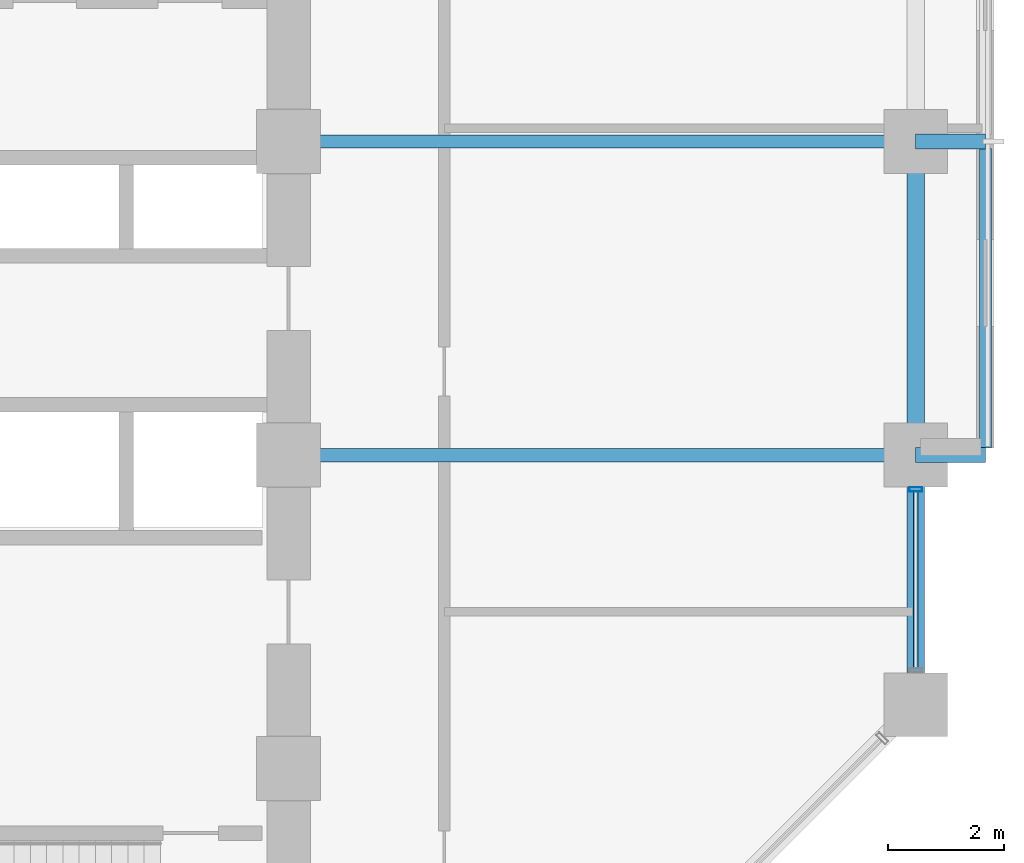
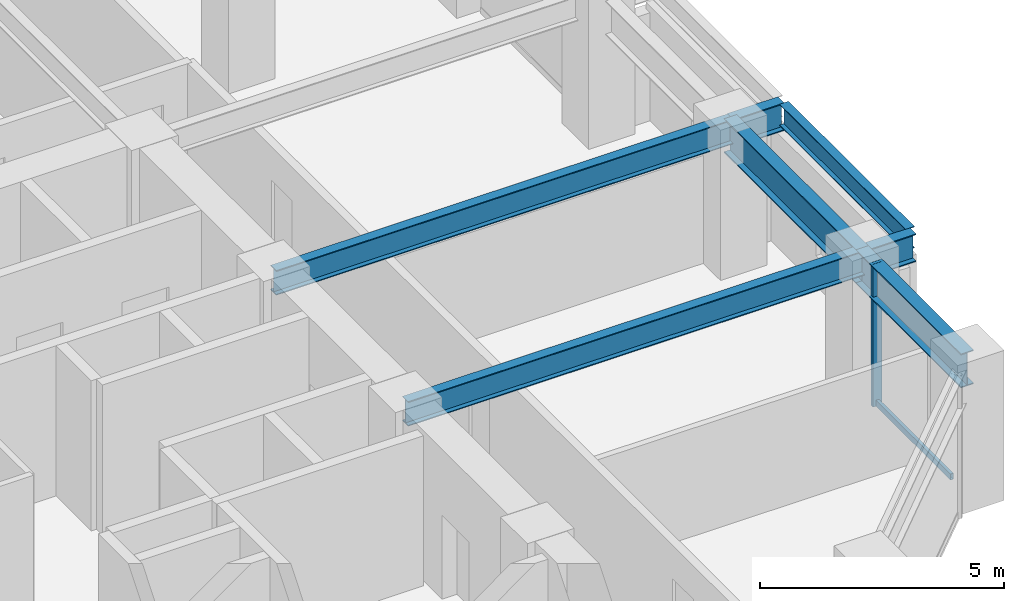
# One storey, part 9 of 25: 7 beams, 2 members, 1 element without a shape of its own.
"""IFC4 building model written with IfcOpenShell, lengths in metres."""

from ifc_helpers import new_model, si_unit, direction, frame, origin, origin_2d, place, context, subcontext, project, spatial, hollow_rectangle, i_section, extrude, material, layer, layer_set, material_profile, profile_set, type_object, element, aggregate, save


model = new_model("IFC4")

# Units and contexts
model_context = context("Model", 3, precision=1e-05, world=origin(), true_north=direction((0.0, 1.0)))
body_context = subcontext(model_context, "Body", "Model", "MODEL_VIEW")
ifc_project = project(units=[si_unit("LENGTHUNIT", "METRE"), si_unit("AREAUNIT", "SQUARE_METRE"), si_unit("VOLUMEUNIT", "CUBIC_METRE"), si_unit("PLANEANGLEUNIT", "RADIAN"), si_unit("MASSUNIT", "GRAM", prefix="KILO")], contexts=[model_context])

# Site, building, storey
site_placement = place(None, origin())
site = spatial("IfcSite", under=ifc_project, at=site_placement, CompositionType="ELEMENT")
building_placement = place(site_placement, origin())
building = spatial("IfcBuilding", under=site, at=building_placement, Name="Surkhivell Harbour Commons", CompositionType="ELEMENT")
storey_placement = place(building_placement, frame((0.0, 0.0, 98.25)))
storey = spatial("IfcBuildingStorey", under=building, at=storey_placement, Name="L25", CompositionType="ELEMENT", Elevation=98.25)

# Beams
ifc_material_1 = material(Name="Steel S460", Category="steel")
ifc_material_profile_1 = material_profile(ifc_material_1, i_section(OverallWidth=0.256103515625, OverallDepth=0.693115234375, WebThickness=0.014404296875, FlangeThickness=0.023681640625, at=origin_2d()), Name="UB686x254x170")
ifc_profile_set_1 = profile_set([ifc_material_profile_1], Name="Steel S460")
beam_type_1 = type_object("IfcBeamType", Name="BM-CNT-686", PredefinedType="BEAM", material=ifc_profile_set_1)
for number, where, z_axis, x_axis, name in (
    (1, (21.60009765625, 0.0, 3.223388671875), (1.0, 0.0, 0.0), (0.0, 1.0, 0.0), "L25 Box Cantilever Outrigger (21.6,0.0)"),
    (2, (21.60009765625, 5.39990234375, 3.223388671875), (1.0, 0.0, 0.0), (0.0, 1.0, 0.0), "L25 Box Cantilever Outrigger (21.6,5.4)"),
):
    element("IfcBeam", number, at=place(storey_placement, frame(where, z_axis=z_axis, x_axis=x_axis)), inside=storey, type_object=beam_type_1, Name=name, PredefinedType="BEAM", context=body_context, shape_type="SweptSolid", body=[
        extrude(i_section(OverallWidth=0.256103515625, OverallDepth=0.693115234375, WebThickness=0.014404296875, FlangeThickness=0.023681640625, at=origin_2d()), origin(), (0.0, 0.0, 1.0), 1.199951171875),
    ])
ifc_material_2 = material(Name="Steel S355", Category="steel")
ifc_material_profile_2 = material_profile(ifc_material_2, i_section(OverallWidth=0.2099609375, OverallDepth=0.537109375, WebThickness=0.0107421875, FlangeThickness=0.017333984375, at=origin_2d()), Name="UB533x210x101")
ifc_profile_set_2 = profile_set([ifc_material_profile_2], Name="Steel S355")
beam_type_2 = type_object("IfcBeamType", Name="BM-GRD-533B", PredefinedType="BEAM", material=ifc_profile_set_2)
beam_1_placement = place(storey_placement, frame((22.800048828125, 0.1220703125, 3.301513671875), z_axis=(0.0, 1.0, 0.0), x_axis=(-1.0, 0.0, 0.0)))
element("IfcBeam", 3, at=beam_1_placement, inside=storey, type_object=beam_type_2, Name="L25 Box Rim Spandrel (22.8,0.0)", PredefinedType="BEAM", context=body_context, shape_type="SweptSolid", body=[
    extrude(i_section(OverallWidth=0.2099609375, OverallDepth=0.537109375, WebThickness=0.0107421875, FlangeThickness=0.017333984375, at=origin_2d()), origin(), (0.0, 0.0, 1.0), 5.156005859375),
])
ifc_material_profile_3 = material_profile(ifc_material_2, i_section(OverallWidth=0.22998046875, OverallDepth=0.616943359375, WebThickness=0.01318359375, FlangeThickness=0.022216796875, at=origin_2d()), Name="UB610x229x140")
ifc_profile_set_3 = profile_set([ifc_material_profile_3], Name="Steel S355")
beam_type_3 = type_object("IfcBeamType", Name="BM-GRD-610B", PredefinedType="BEAM", material=ifc_profile_set_3)
for number, where, z_axis, x_axis, name in (
    (4, (10.800048828125, 0.0, 3.261474609375), (1.0, 0.0, 0.0), (0.0, 1.0, 0.0), "L25 Floor Girder (10.8,0.0)"),
    (5, (10.800048828125, 5.39990234375, 3.261474609375), (1.0, 0.0, 0.0), (0.0, 1.0, 0.0), "L25 Floor Girder (10.8,5.4)"),
):
    element("IfcBeam", number, at=place(storey_placement, frame(where, z_axis=z_axis, x_axis=x_axis)), inside=storey, type_object=beam_type_3, Name=name, PredefinedType="BEAM", context=body_context, shape_type="SweptSolid", body=[
        extrude(i_section(OverallWidth=0.22998046875, OverallDepth=0.616943359375, WebThickness=0.01318359375, FlangeThickness=0.022216796875, at=origin_2d()), origin(), (0.0, 0.0, 1.0), 10.800048828125),
    ])
ifc_material_profile_4 = material_profile(ifc_material_1, i_section(OverallWidth=0.2939453125, OverallDepth=0.85107421875, WebThickness=0.01611328125, FlangeThickness=0.02685546875, at=origin_2d()), Name="UB838x292x226")
ifc_profile_set_4 = profile_set([ifc_material_profile_4], Name="Steel S460")
beam_type_4 = type_object("IfcBeamType", Name="BM-SPN-838", PredefinedType="SPANDREL", material=ifc_profile_set_4)
beam_2_placement = place(storey_placement, frame((21.60009765625, -4.300048828125, 3.14453125), z_axis=(0.0, 1.0, 0.0), x_axis=(-1.0, 0.0, 0.0)))
element("IfcBeam", 6, at=beam_2_placement, inside=storey, type_object=beam_type_4, Name="L25 Tube Spandrel (21.6,-4.3)", PredefinedType="SPANDREL", context=body_context, shape_type="SweptSolid", body=[
    extrude(i_section(OverallWidth=0.2939453125, OverallDepth=0.85107421875, WebThickness=0.01611328125, FlangeThickness=0.02685546875, at=origin_2d()), origin(), (0.0, 0.0, 1.0), 4.300048828125),
])
beam_3_placement = place(storey_placement, frame((21.60009765625, 0.0, 3.14453125), z_axis=(0.0, 1.0, 0.0), x_axis=(-1.0, 0.0, 0.0)))
element("IfcBeam", 7, at=beam_3_placement, inside=storey, type_object=beam_type_4, Name="L25 Tube Spandrel (21.6,0.0)", PredefinedType="SPANDREL", context=body_context, shape_type="SweptSolid", body=[
    extrude(i_section(OverallWidth=0.2939453125, OverallDepth=0.85107421875, WebThickness=0.01611328125, FlangeThickness=0.02685546875, at=origin_2d()), origin(), (0.0, 0.0, 1.0), 5.39990234375),
])

# Curtain wall, members
ifc_material_3 = material(Name="Anodised pale-metal aluminium and insulated glazing", Category="aluminium")
ifc_layer = layer(ifc_material_3, 0.205078125)
ifc_layer_set = layer_set([ifc_layer], Name="Anodised pale-metal aluminium and insulated glazing")
curtain_wall_type = type_object("IfcCurtainWallType", Name="CW-SYS-Z2", PredefinedType="NOTDEFINED", material=ifc_layer_set)
curtain_wall_placement = place(storey_placement, origin())
curtain_wall = element("IfcCurtainWall", 8, at=curtain_wall_placement, inside=storey, type_object=curtain_wall_type, Name="L25 Curtain Wall CW-L25-E02R1", PredefinedType="NOTDEFINED")
ifc_material_4 = material(Name="Anodised pale-metal aluminium alloy 6063-T6", Category="aluminium")
ifc_material_profile_5 = material_profile(ifc_material_4, hollow_rectangle(XDim=0.074951171875, YDim=0.219970703125, WallThickness=0.00390625, at=origin_2d()), Name="ALU-MULL-75x220")
ifc_profile_set_5 = profile_set([ifc_material_profile_5], Name="Anodised pale-metal aluminium alloy 6063-T6")
member_type_1 = type_object("IfcMemberType", Name="CWM-220", PredefinedType="MULLION", material=ifc_profile_set_5)
member_1_placement = place(storey_placement, frame((21.60009765625, -0.589599609375, 0.0), z_axis=(0.0, 0.0, 1.0), x_axis=(0.0, 1.0, 0.0)))
member_1 = element("IfcMember", 9, at=member_1_placement, type_object=member_type_1, Name="CW-Z2 mullion 2", PredefinedType="MULLION", context=body_context, shape_type="SweptSolid", body=[
    extrude(hollow_rectangle(XDim=0.074951171875, YDim=0.219970703125, WallThickness=0.00390625, at=origin_2d()), origin(), (0.0, 0.0, 1.0), 3.570068359375),
])
ifc_material_profile_6 = material_profile(ifc_material_4, hollow_rectangle(XDim=0.074951171875, YDim=0.14990234375, WallThickness=0.00341796875, at=origin_2d()), Name="ALU-TRAN-75x150")
ifc_profile_set_6 = profile_set([ifc_material_profile_6], Name="Anodised pale-metal aluminium alloy 6063-T6")
member_type_2 = type_object("IfcMemberType", Name="CWT-150", PredefinedType="USERDEFINED", material=ifc_profile_set_6)
member_2_placement = place(storey_placement, frame((21.60009765625, -3.673095703125, 0.074951171875), z_axis=(0.0, 1.0, 0.0), x_axis=(-1.0, 0.0, 0.0)))
member_2 = element("IfcMember", 10, at=member_2_placement, type_object=member_type_2, Name="CW-Z2 transom 1.1", ObjectType="TRANSOM", PredefinedType="USERDEFINED", context=body_context, shape_type="SweptSolid", body=[
    extrude(hollow_rectangle(XDim=0.074951171875, YDim=0.14990234375, WallThickness=0.00341796875, at=origin_2d()), origin(), (0.0, 0.0, 1.0), 3.046142578125),
])
aggregate(curtain_wall, [member_1, member_2])

save(model, "model.ifc")
